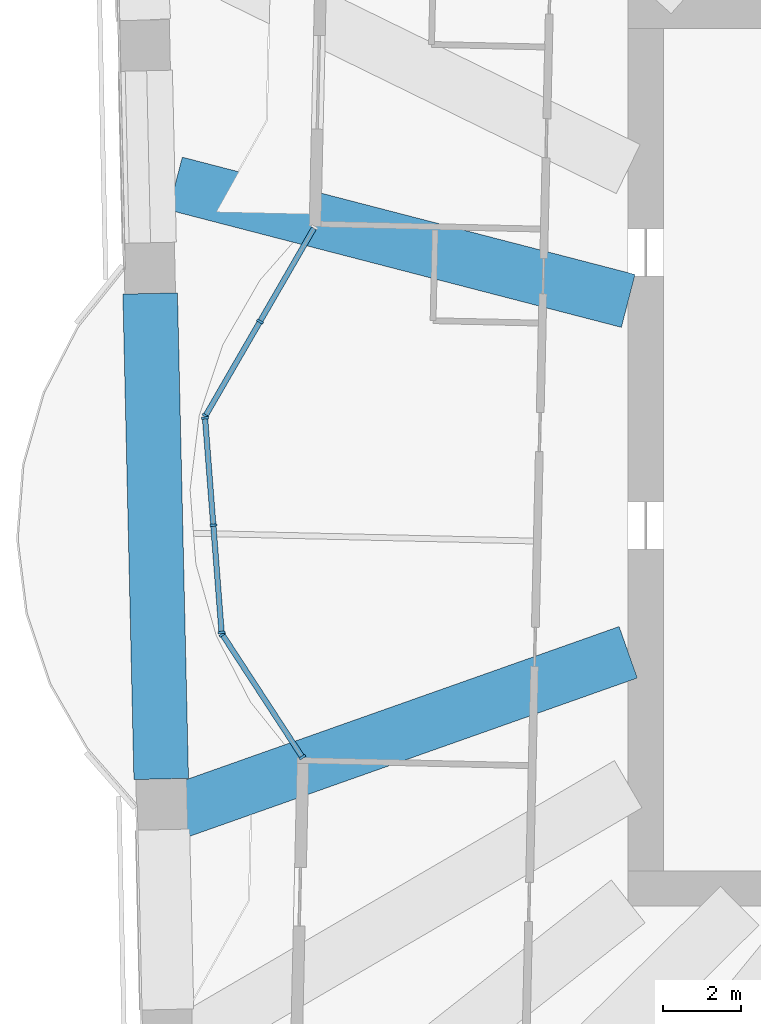
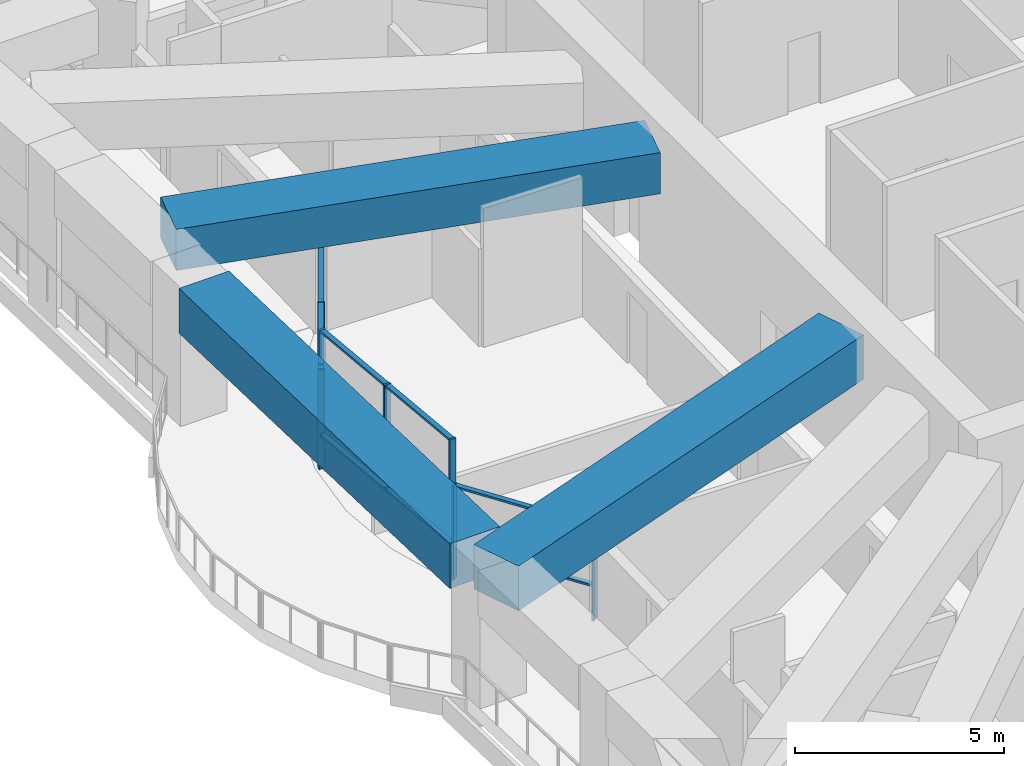
# One storey, part 2 of 17: 17 members, 3 beams, 3 elements without a shape of their own.
"""IFC4 building model written with IfcOpenShell, lengths in metres."""

from ifc_helpers import new_model, si_unit, direction, frame, origin, origin_2d, place, context, subcontext, project, spatial, rectangle, extrude, material, material_profile, profile_set, type_object, element, aggregate, save


model = new_model("IFC4")

# Units and contexts
model_context = context("Model", 3, precision=1e-05, world=origin(), true_north=direction((0.0, 1.0)))
body_context = subcontext(model_context, "Body", "Model", "MODEL_VIEW")
ifc_project = project(units=[si_unit("LENGTHUNIT", "METRE"), si_unit("AREAUNIT", "SQUARE_METRE"), si_unit("VOLUMEUNIT", "CUBIC_METRE"), si_unit("PLANEANGLEUNIT", "RADIAN"), si_unit("MASSUNIT", "GRAM", prefix="KILO")], contexts=[model_context])

# Site, building, storey
site_placement = place(None, origin())
site = spatial("IfcSite", under=ifc_project, at=site_placement, CompositionType="ELEMENT")
building_placement = place(site_placement, origin())
building = spatial("IfcBuilding", under=site, at=building_placement, Name="Mangrove Gate Tower", CompositionType="ELEMENT")
storey_placement = place(building_placement, frame((0.0, 0.0, 148.10009765625)))
storey = spatial("IfcBuildingStorey", under=building, at=storey_placement, Name="L37", CompositionType="ELEMENT", Elevation=148.10009765625)

# Curtain wall, members
ifc_material_1 = material(Name="Aluminium and glass curtain wall", Category="aluminium")
curtain_wall_type = type_object("IfcCurtainWallType", Name="Sky-lounge glazing wall", PredefinedType="NOTDEFINED", material=ifc_material_1)
curtain_wall_1_placement = place(storey_placement, origin())
curtain_wall_1 = element("IfcCurtainWall", 1, at=curtain_wall_1_placement, inside=storey, type_object=curtain_wall_type, Name="Sky-lounge glazing W9f1", PredefinedType="NOTDEFINED")
ifc_material_2 = material(Name="Aluminium alloy 6063-T6", Category="aluminium")
ifc_material_profile_1 = material_profile(ifc_material_2, rectangle(XDim=0.06005859375, YDim=0.179931640625, at=origin_2d()))
ifc_profile_set_1 = profile_set([ifc_material_profile_1], Name="Aluminium alloy 6063-T6")
member_type_1 = type_object("IfcMemberType", Name="Sky-lounge glazing mullion 60x180", PredefinedType="MULLION", material=ifc_profile_set_1)
member_1_placement = place(storey_placement, frame((-24.140625, 3.2822265625, 0.0), z_axis=(0.0, 0.0, 1.0), x_axis=(-0.500418160284, -0.865783844189, 0.0)))
member_1 = element("IfcMember", 2, at=member_1_placement, type_object=member_type_1, Name="CWK mullion 2", PredefinedType="MULLION", context=body_context, shape_type="SweptSolid", body=[
    extrude(rectangle(XDim=0.06005859375, YDim=0.179931640625, at=origin_2d()), origin(), (0.0, 0.0, 1.0), 2.849853515625),
])
member_2_placement = place(storey_placement, frame((-25.537109375, 0.865966796875, 0.0), z_axis=(0.0, 0.0, 1.0), x_axis=(-0.500418160284, -0.865783844189, 0.0)))
member_2 = element("IfcMember", 3, at=member_2_placement, type_object=member_type_1, Name="CWK mullion 3", PredefinedType="MULLION", context=body_context, shape_type="SweptSolid", body=[
    extrude(rectangle(XDim=0.06005859375, YDim=0.179931640625, at=origin_2d()), origin(), (0.0, 0.0, 1.0), 2.849853515625),
])

curtain_wall_2_placement = place(storey_placement, origin())
curtain_wall_2 = element("IfcCurtainWall", 4, at=curtain_wall_2_placement, inside=storey, type_object=curtain_wall_type, Name="Sky-lounge glazing W9f2", PredefinedType="NOTDEFINED")
member_3_placement = place(storey_placement, frame((-25.5498046875, 0.81005859375, 0.0), z_axis=(0.0, 0.0, 1.0), x_axis=(0.077023348403, -0.997029289339, 0.0)))
member_3 = element("IfcMember", 5, at=member_3_placement, type_object=member_type_1, Name="CWK mullion 1", PredefinedType="MULLION", context=body_context, shape_type="SweptSolid", body=[
    extrude(rectangle(XDim=0.06005859375, YDim=0.179931640625, at=origin_2d()), origin(), (0.0, 0.0, 1.0), 4.0498046875),
])
member_4_placement = place(storey_placement, frame((-25.337646484375, -1.9384765625, 0.0), z_axis=(0.0, 0.0, 1.0), x_axis=(0.077023348403, -0.997029289339, 0.0)))
member_4 = element("IfcMember", 6, at=member_4_placement, type_object=member_type_1, Name="CWK mullion 2", PredefinedType="MULLION", context=body_context, shape_type="SweptSolid", body=[
    extrude(rectangle(XDim=0.06005859375, YDim=0.179931640625, at=origin_2d()), origin(), (0.0, 0.0, 1.0), 4.0498046875),
])
member_5_placement = place(storey_placement, frame((-25.125244140625, -4.68701171875, 0.0), z_axis=(0.0, 0.0, 1.0), x_axis=(0.077023348403, -0.997029289339, 0.0)))
member_5 = element("IfcMember", 7, at=member_5_placement, type_object=member_type_1, Name="CWK mullion 3", PredefinedType="MULLION", context=body_context, shape_type="SweptSolid", body=[
    extrude(rectangle(XDim=0.06005859375, YDim=0.179931640625, at=origin_2d()), origin(), (0.0, 0.0, 1.0), 4.0498046875),
])

curtain_wall_3_placement = place(storey_placement, origin())
curtain_wall_3 = element("IfcCurtainWall", 8, at=curtain_wall_3_placement, inside=storey, type_object=curtain_wall_type, Name="Sky-lounge glazing W9f3", PredefinedType="NOTDEFINED")
member_6_placement = place(storey_placement, frame((-25.1064453125, -4.741943359375, 0.0), z_axis=(0.0, 0.0, 1.0), x_axis=(0.546235085045, -0.837631919083, 0.0)))
member_6 = element("IfcMember", 9, at=member_6_placement, type_object=member_type_1, Name="CWK mullion 1", PredefinedType="MULLION", context=body_context, shape_type="SweptSolid", body=[
    extrude(rectangle(XDim=0.06005859375, YDim=0.179931640625, at=origin_2d()), origin(), (0.0, 0.0, 1.0), 2.75),
])
member_7_placement = place(storey_placement, frame((-23.054931640625, -7.88818359375, 0.0), z_axis=(0.0, 0.0, 1.0), x_axis=(0.546235085045, -0.837631919083, 0.0)))
member_7 = element("IfcMember", 10, at=member_7_placement, type_object=member_type_1, Name="CWK mullion 2", PredefinedType="MULLION", context=body_context, shape_type="SweptSolid", body=[
    extrude(rectangle(XDim=0.06005859375, YDim=0.179931640625, at=origin_2d()), origin(), (0.0, 0.0, 1.0), 2.75),
])

# Member
ifc_material_3 = material(Name="Aluminium alloy 6063-T6", Category="aluminium")
ifc_material_profile_2 = material_profile(ifc_material_3, rectangle(XDim=0.06005859375, YDim=0.139892578125, at=origin_2d()))
ifc_profile_set_2 = profile_set([ifc_material_profile_2], Name="Aluminium alloy 6063-T6")
member_type_2 = type_object("IfcMemberType", Name="Sky-lounge glazing transom 60x140", PredefinedType="USERDEFINED", material=ifc_profile_set_2)
member_8_placement = place(storey_placement, frame((-22.759033203125, 5.672607421875, 1.0), z_axis=(-0.500398244711, -0.865795354972, 0.0), x_axis=(0.0, 0.0, 1.0)))
member_8 = element("IfcMember", 11, at=member_8_placement, type_object=member_type_2, Name="CWK transom 1.2", ObjectType="TRANSOM", PredefinedType="USERDEFINED", context=body_context, shape_type="SweptSolid", body=[
    extrude(rectangle(XDim=0.06005859375, YDim=0.139892578125, at=origin_2d()), origin(), (0.0, 0.0, 1.0), 2.730712890625),
])

member_9_placement = place(storey_placement, frame((-22.759033203125, 5.672607421875, 2.81982421875), z_axis=(-0.500398244711, -0.865795354972, 0.0), x_axis=(0.0, 0.0, 1.0)))
member_9 = element("IfcMember", 12, at=member_9_placement, type_object=member_type_2, Name="CWK transom 1.3", ObjectType="TRANSOM", PredefinedType="USERDEFINED", context=body_context, shape_type="SweptSolid", body=[
    extrude(rectangle(XDim=0.06005859375, YDim=0.139892578125, at=origin_2d()), origin(), (0.0, 0.0, 1.0), 2.730712890625),
])

member_10_placement = place(storey_placement, frame((-24.155517578125, 3.25634765625, 1.0), z_axis=(-0.500426524989, -0.865779009382, 0.0), x_axis=(0.0, 0.0, 1.0)))
member_10 = element("IfcMember", 13, at=member_10_placement, type_object=member_type_2, Name="CWK transom 2.2", ObjectType="TRANSOM", PredefinedType="USERDEFINED", context=body_context, shape_type="SweptSolid", body=[
    extrude(rectangle(XDim=0.06005859375, YDim=0.139892578125, at=origin_2d()), origin(), (0.0, 0.0, 1.0), 2.73095703125),
])

member_11_placement = place(storey_placement, frame((-24.155517578125, 3.25634765625, 2.81982421875), z_axis=(-0.500426524989, -0.865779009382, 0.0), x_axis=(0.0, 0.0, 1.0)))
member_11 = element("IfcMember", 14, at=member_11_placement, type_object=member_type_2, Name="CWK transom 2.3", ObjectType="TRANSOM", PredefinedType="USERDEFINED", context=body_context, shape_type="SweptSolid", body=[
    extrude(rectangle(XDim=0.06005859375, YDim=0.139892578125, at=origin_2d()), origin(), (0.0, 0.0, 1.0), 2.73095703125),
])

aggregate(curtain_wall_1, [member_1, member_2, member_8, member_9, member_10, member_11])

member_12_placement = place(storey_placement, frame((-25.547607421875, 0.7802734375, 1.0), z_axis=(0.077042645639, -0.997027798385, 0.0), x_axis=(0.0, 0.0, 1.0)))
member_12 = element("IfcMember", 15, at=member_12_placement, type_object=member_type_2, Name="CWK transom 1.2", ObjectType="TRANSOM", PredefinedType="USERDEFINED", context=body_context, shape_type="SweptSolid", body=[
    extrude(rectangle(XDim=0.06005859375, YDim=0.139892578125, at=origin_2d()), origin(), (0.0, 0.0, 1.0), 2.69677734375),
])

member_13_placement = place(storey_placement, frame((-25.547607421875, 0.7802734375, 4.02001953125), z_axis=(0.077042645639, -0.997027798385, 0.0), x_axis=(0.0, 0.0, 1.0)))
member_13 = element("IfcMember", 16, at=member_13_placement, type_object=member_type_2, Name="CWK transom 1.3", ObjectType="TRANSOM", PredefinedType="USERDEFINED", context=body_context, shape_type="SweptSolid", body=[
    extrude(rectangle(XDim=0.06005859375, YDim=0.139892578125, at=origin_2d()), origin(), (0.0, 0.0, 1.0), 2.69677734375),
])

member_14_placement = place(storey_placement, frame((-25.335205078125, -1.96826171875, 1.0), z_axis=(0.077042645639, -0.997027798385, 0.0), x_axis=(0.0, 0.0, 1.0)))
member_14 = element("IfcMember", 17, at=member_14_placement, type_object=member_type_2, Name="CWK transom 2.2", ObjectType="TRANSOM", PredefinedType="USERDEFINED", context=body_context, shape_type="SweptSolid", body=[
    extrude(rectangle(XDim=0.06005859375, YDim=0.139892578125, at=origin_2d()), origin(), (0.0, 0.0, 1.0), 2.69677734375),
])

member_15_placement = place(storey_placement, frame((-25.335205078125, -1.96826171875, 4.02001953125), z_axis=(0.077042645639, -0.997027798385, 0.0), x_axis=(0.0, 0.0, 1.0)))
member_15 = element("IfcMember", 18, at=member_15_placement, type_object=member_type_2, Name="CWK transom 2.3", ObjectType="TRANSOM", PredefinedType="USERDEFINED", context=body_context, shape_type="SweptSolid", body=[
    extrude(rectangle(XDim=0.06005859375, YDim=0.139892578125, at=origin_2d()), origin(), (0.0, 0.0, 1.0), 2.69677734375),
])

aggregate(curtain_wall_2, [member_3, member_4, member_5, member_12, member_13, member_14, member_15])

member_16_placement = place(storey_placement, frame((-25.090087890625, -4.76708984375, 1.0), z_axis=(0.546211360714, -0.837647389674, 0.0), x_axis=(0.0, 0.0, 1.0)))
member_16 = element("IfcMember", 19, at=member_16_placement, type_object=member_type_2, Name="CWK transom 1.2", ObjectType="TRANSOM", PredefinedType="USERDEFINED", context=body_context, shape_type="SweptSolid", body=[
    extrude(rectangle(XDim=0.06005859375, YDim=0.139892578125, at=origin_2d()), origin(), (0.0, 0.0, 1.0), 3.696044921875),
])

member_17_placement = place(storey_placement, frame((-25.090087890625, -4.76708984375, 2.719970703125), z_axis=(0.546211360714, -0.837647389674, 0.0), x_axis=(0.0, 0.0, 1.0)))
member_17 = element("IfcMember", 20, at=member_17_placement, type_object=member_type_2, Name="CWK transom 1.3", ObjectType="TRANSOM", PredefinedType="USERDEFINED", context=body_context, shape_type="SweptSolid", body=[
    extrude(rectangle(XDim=0.06005859375, YDim=0.139892578125, at=origin_2d()), origin(), (0.0, 0.0, 1.0), 3.696044921875),
])

aggregate(curtain_wall_3, [member_6, member_7, member_16, member_17])

# Beams
ifc_material_4 = material(Name="Concrete C60/75", Category="concrete")
ifc_material_profile_3 = material_profile(ifc_material_4, rectangle(XDim=1.39990234375, YDim=1.199951171875, at=origin_2d()))
ifc_profile_set_3 = profile_set([ifc_material_profile_3], Name="Concrete C60/75")
beam_type_1 = type_object("IfcBeamType", Name="Transfer girder RC 1400x1200 C60/75", PredefinedType="BEAM", material=ifc_profile_set_3)
beam_1_placement = place(storey_placement, frame((-14.699951171875, 3.810791015625, 3.449951171875), z_axis=(-0.968003125771, 0.250938136793, 0.0), x_axis=(-0.250938136793, -0.968003125771, 0.0)))
element("IfcBeam", 21, at=beam_1_placement, inside=storey, type_object=beam_type_1, Name="Transfer girder L37 29", PredefinedType="BEAM", context=body_context, shape_type="SweptSolid", body=[
    extrude(rectangle(XDim=1.39990234375, YDim=1.199951171875, at=origin_2d()), origin(), (0.0, 0.0, 1.0), 11.9921875),
])
ifc_material_5 = material(Name="Concrete C60/75", Category="concrete")
ifc_material_profile_4 = material_profile(ifc_material_5, rectangle(XDim=1.39990234375, YDim=1.300048828125, at=origin_2d()))
ifc_profile_set_4 = profile_set([ifc_material_profile_4], Name="Concrete C60/75")
beam_type_2 = type_object("IfcBeamType", Name="Transfer girder RC 1400x1300 C60/75", PredefinedType="BEAM", material=ifc_profile_set_4)
beam_2_placement = place(storey_placement, frame((-26.95654296875, 4.001953125, 3.39990234375), z_axis=(0.022704926143, -0.999742209937, 0.0), x_axis=(0.999742209937, 0.022704926143, 0.0)))
element("IfcBeam", 22, at=beam_2_placement, inside=storey, type_object=beam_type_2, Name="Transfer ring girder L37 29", PredefinedType="BEAM", context=body_context, shape_type="SweptSolid", body=[
    extrude(rectangle(XDim=1.39990234375, YDim=1.300048828125, at=origin_2d()), origin(), (0.0, 0.0, 1.0), 12.45166015625),
])
beam_3_placement = place(storey_placement, frame((-14.699951171875, -5.197998046875, 3.39990234375), z_axis=(-0.94278999115, -0.333387211194, 0.0), x_axis=(0.333387211194, -0.94278999115, 0.0)))
element("IfcBeam", 23, at=beam_3_placement, inside=storey, type_object=beam_type_2, Name="Transfer girder L37 00", PredefinedType="BEAM", context=body_context, shape_type="SweptSolid", body=[
    extrude(rectangle(XDim=1.39990234375, YDim=1.300048828125, at=origin_2d()), origin(), (0.0, 0.0, 1.0), 12.677001953125),
])

save(model, "model.ifc")
